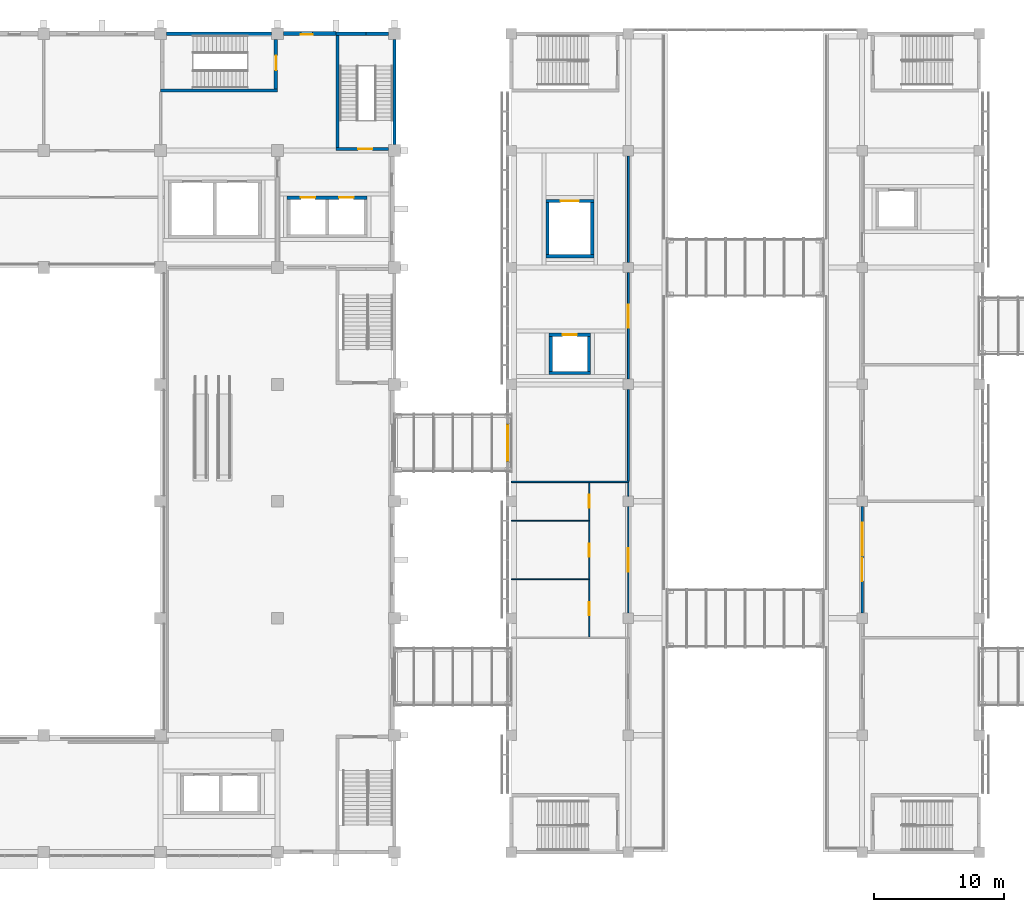
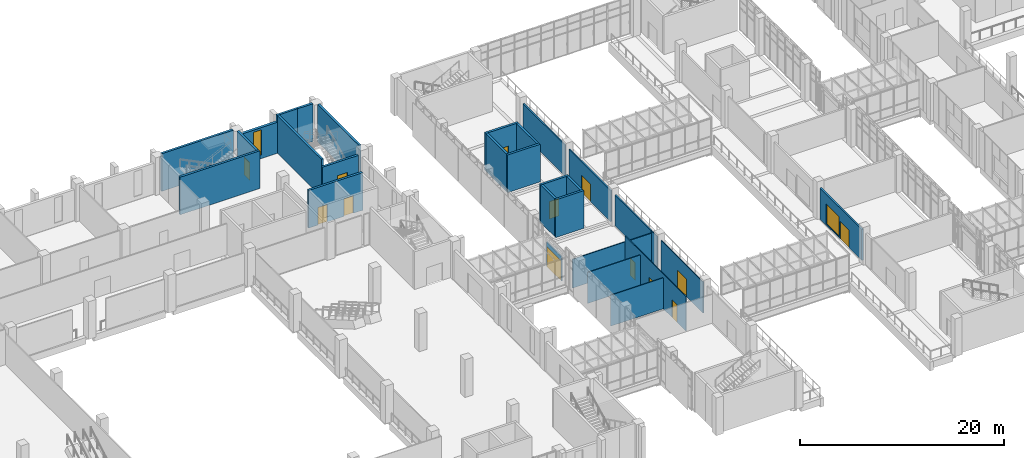
# One storey, part 61 of 88: 29 walls, 13 doors, 2 windows, 15 openings.
"""IFC4 building model written with IfcOpenShell, lengths in metres."""

from ifc_helpers import new_model, si_unit, direction, frame, frame_2d, origin, place, context, subcontext, project, spatial, rectangle, extrude, material, layer, layer_set, type_object, element, fill, save


model = new_model("IFC4")

# Units and contexts
model_context = context("Model", 3, precision=1e-05, world=origin(), true_north=direction((0.0, 1.0)))
body_context = subcontext(model_context, "Body", "Model", "MODEL_VIEW")
ifc_project = project(units=[si_unit("LENGTHUNIT", "METRE"), si_unit("AREAUNIT", "SQUARE_METRE"), si_unit("VOLUMEUNIT", "CUBIC_METRE"), si_unit("PLANEANGLEUNIT", "RADIAN"), si_unit("MASSUNIT", "GRAM", prefix="KILO")], contexts=[model_context])

# Site, building, storey
site_placement = place(None, origin())
site = spatial("IfcSite", under=ifc_project, at=site_placement, CompositionType="ELEMENT")
building_placement = place(site_placement, origin())
building = spatial("IfcBuilding", under=site, at=building_placement, Name="Guidao Yard Department Store", CompositionType="ELEMENT")
storey_placement = place(building_placement, frame((0.0, 0.0, 6.0)))
storey = spatial("IfcBuildingStorey", under=building, at=storey_placement, Name="L01", CompositionType="ELEMENT", Elevation=6.0)

# Walls
ifc_material_1 = material(Name="Moisture-resistant board on Steel Q235 studs", Category="steel")
ifc_layer_1 = layer(ifc_material_1, 0.080078125)
ifc_layer_set_1 = layer_set([ifc_layer_1], Name="Cubicle and Duct Partition P8 80 mm moisture-resistant board")
wall_type_1 = type_object("IfcWallType", Name="Cubicle and Duct Partition P8 80 mm moisture-resistant board", PredefinedType="PARTITIONING", material=ifc_layer_set_1)
for number, where, z_axis, x_axis, name in (
    (1, (72.0, 66.0, 0.0), (0.0, 0.0, 1.0), (1.0, 0.0, 0.0), "Wall W-AL01-010"),
    (2, (72.0, 70.5, 0.0), (0.0, 0.0, 1.0), (1.0, 0.0, 0.0), "Wall W-AL01-011"),
):
    element("IfcWall", number, at=place(storey_placement, frame(where, z_axis=z_axis, x_axis=x_axis)), inside=storey, type_object=wall_type_1, Name=name, PredefinedType="PARTITIONING", context=body_context, shape_type="SweptSolid", body=[
        extrude(rectangle(XDim=5.949951171875, YDim=0.080078125, at=frame_2d((2.97509765625, 0.0))), origin(), (0.0, 0.0, 1.0), 3.699951171875),
    ])

# Wall, opening, door
ifc_material_2 = material(Name="Aluminium 6063-T5", Category="aluminium")
ifc_layer_2 = layer(ifc_material_2, 0.1201171875)
ifc_layer_set_2 = layer_set([ifc_layer_2], Name="Glazing frame wall 120")
wall_type_2 = type_object("IfcWallType", Name="Glazing frame wall 120", PredefinedType="STANDARD", material=ifc_layer_set_2)
wall_1_placement = place(storey_placement, frame((71.719970703125, 75.030029296875, 0.0), z_axis=(0.0, 0.0, 1.0), x_axis=(0.0, 1.0, 0.0)))
wall_1 = element("IfcWall", 3, at=wall_1_placement, inside=storey, type_object=wall_type_2, Name="Frame wall for Bridge door BR02", PredefinedType="STANDARD", context=body_context, shape_type="SweptSolid", body=[
    extrude(rectangle(XDim=2.93994140625, YDim=0.1201171875, at=frame_2d((1.469970703125, 0.0))), origin(), (0.0, 0.0, 1.0), 2.969970703125),
])
opening_1_placement = place(wall_1_placement, frame((0.070068359375, 0.0, 0.0)))
opening_1 = element("IfcOpeningElement", 4, at=opening_1_placement, cuts=wall_1, Name="Opening L01-853", PredefinedType="OPENING", context=body_context, shape_type="SweptSolid", body=[
    extrude(rectangle(XDim=2.800048828125, YDim=2.39990234375, at=frame_2d((1.39990234375, 1.199951171875))), frame((0.0, 0.070068359375, 0.0), z_axis=(0.0, -1.0, 0.0), x_axis=(1.0, 0.0, 0.0)), (0.0, 0.0, 1.0), 0.14013671875),
])
ifc_material_3 = material(Name="Fire-resistant glass in steel frame", Category="steel")
door_type_1 = type_object("IfcDoorType", Name="Bridge door BD1 2800 x 2400 fire-rated glazed double leaf", OperationType="DOUBLE_DOOR_SINGLE_SWING", PredefinedType="DOOR", material=ifc_material_3)
door_1_placement = place(opening_1_placement, origin())
door_1 = element("IfcDoor", 5, at=door_1_placement, inside=storey, type_object=door_type_1, Name="Bridge door BR02", OperationType="DOUBLE_DOOR_SINGLE_SWING", OverallHeight=2.39990234375, OverallWidth=2.800048828125, PredefinedType="DOOR", context=body_context, shape_type="SweptSolid", body=[
    extrude(rectangle(XDim=2.800048828125, YDim=2.39990234375, at=frame_2d((1.39990234375, 1.199951171875))), frame((0.0, 0.02490234375, 0.0), z_axis=(0.0, -1.0, 0.0), x_axis=(1.0, 0.0, 0.0)), (0.0, 0.0, 1.0), 0.050048828125),
])
fill(opening_1, door_1)

# Wall, opening, window
ifc_material_4 = material(Name="Concrete C35", Category="concrete")
ifc_layer_3 = layer(ifc_material_4, 0.300048828125)
ifc_layer_set_3 = layer_set([ifc_layer_3], Name="Hall facade wall 300 C35")
wall_type_3 = type_object("IfcWallType", Name="Hall facade wall 300 C35", PredefinedType="SOLIDWALL", material=ifc_layer_set_3)
wall_2_placement = place(storey_placement, frame((54.449951171875, 108.0, 0.0), z_axis=(0.0, 0.0, 1.0), x_axis=(1.0, 0.0, 0.0)))
wall_2 = element("IfcWall", 6, at=wall_2_placement, inside=storey, type_object=wall_type_3, Name="Hall facade wall", PredefinedType="SOLIDWALL", context=body_context, shape_type="SweptSolid", body=[
    extrude(rectangle(XDim=4.050048828125, YDim=0.300048828125, at=frame_2d((2.02490234375, 0.0))), origin(), (0.0, 0.0, 1.0), 3.699951171875),
])
opening_2_placement = place(wall_2_placement, frame((1.35009765625, 0.0, 0.449951171875)))
opening_2 = element("IfcOpeningElement", 7, at=opening_2_placement, cuts=wall_2, Name="Opening WN-L01-E18", PredefinedType="OPENING", context=body_context, shape_type="SweptSolid", body=[
    extrude(rectangle(XDim=0.89990234375, YDim=3.0, at=frame_2d((0.449951171875, 1.5))), frame((0.0, 0.159912109375, 0.0), z_axis=(0.0, -1.0, 0.0), x_axis=(1.0, 0.0, 0.0)), (0.0, 0.0, 1.0), 0.320068359375),
])
ifc_material_5 = material(Name="Laminated glass in aluminium frame", Category="aluminium")
window_type_1 = type_object("IfcWindowType", Name="Slot window SL1 900 x 3000 fixed", PartitioningType="SINGLE_PANEL", PredefinedType="WINDOW", material=ifc_material_5)
window_1_placement = place(opening_2_placement, origin())
window_1 = element("IfcWindow", 8, at=window_1_placement, inside=storey, type_object=window_type_1, Name="Slot window", OverallHeight=3.0, OverallWidth=0.89990234375, PartitioningType="SINGLE_PANEL", PredefinedType="WINDOW", context=body_context, shape_type="SweptSolid", body=[
    extrude(rectangle(XDim=0.89990234375, YDim=3.0, at=frame_2d((0.449951171875, 1.5))), frame((0.0, -0.030029296875, 0.0), z_axis=(0.0, -1.0, 0.0), x_axis=(1.0, 0.0, 0.0)), (0.0, 0.0, 1.0), 0.06005859375),
])
fill(opening_2, window_1)

# Wall, openings, doors
ifc_material_6 = material(Name="Gypsum board on Steel Q235 studs", Category="steel")
ifc_layer_4 = layer(ifc_material_6, 0.10009765625)
ifc_layer_set_4 = layer_set([ifc_layer_4], Name="Partition P1 100 mm gypsum board EI 30")
wall_type_4 = type_object("IfcWallType", Name="Partition P1 100 mm gypsum board EI 30", PredefinedType="PARTITIONING", material=ifc_layer_set_4)
wall_3_placement = place(storey_placement, frame((78.0, 61.550048828125, 0.0), z_axis=(0.0, 0.0, 1.0), x_axis=(0.0, 1.0, 0.0)))
wall_3 = element("IfcWall", 9, at=wall_3_placement, inside=storey, type_object=wall_type_4, Name="Wall W-AL01-005", PredefinedType="PARTITIONING", context=body_context, shape_type="SweptSolid", body=[
    extrude(rectangle(XDim=11.89990234375, YDim=0.10009765625, at=frame_2d((5.949951171875, 0.0))), origin(), (0.0, 0.0, 1.0), 4.14990234375),
])
opening_3_placement = place(wall_3_placement, frame((1.699951171875, 0.0, 0.0)))
opening_3 = element("IfcOpeningElement", 10, at=opening_3_placement, cuts=wall_3, Name="Opening AL01-003", PredefinedType="OPENING", context=body_context, shape_type="SweptSolid", body=[
    extrude(rectangle(XDim=1.0, YDim=2.10009765625, at=frame_2d((0.5, 1.050048828125))), frame((0.0, 0.06005859375, 0.0), z_axis=(0.0, -1.0, 0.0), x_axis=(1.0, 0.0, 0.0)), (0.0, 0.0, 1.0), 0.1201171875),
])
opening_4_placement = place(wall_3_placement, frame((6.199951171875, 0.0, 0.0)))
opening_4 = element("IfcOpeningElement", 11, at=opening_4_placement, cuts=wall_3, Name="Opening AL01-006", PredefinedType="OPENING", context=body_context, shape_type="SweptSolid", body=[
    extrude(rectangle(XDim=1.0, YDim=2.10009765625, at=frame_2d((0.5, 1.050048828125))), frame((0.0, 0.06005859375, 0.0), z_axis=(0.0, -1.0, 0.0), x_axis=(1.0, 0.0, 0.0)), (0.0, 0.0, 1.0), 0.1201171875),
])
opening_5_placement = place(wall_3_placement, frame((9.949951171875, 0.0, 0.0)))
opening_5 = element("IfcOpeningElement", 12, at=opening_5_placement, cuts=wall_3, Name="Opening AL01-007", PredefinedType="OPENING", context=body_context, shape_type="SweptSolid", body=[
    extrude(rectangle(XDim=1.0, YDim=2.10009765625, at=frame_2d((0.5, 1.050048828125))), frame((0.0, 0.06005859375, 0.0), z_axis=(0.0, -1.0, 0.0), x_axis=(1.0, 0.0, 0.0)), (0.0, 0.0, 1.0), 0.1201171875),
])
ifc_material_7 = material(Name="Timber door leaf", Category="wood")
door_type_2 = type_object("IfcDoorType", Name="Door AD10 accessible WC 1000 x 2100", OperationType="SINGLE_SWING_LEFT", PredefinedType="DOOR", material=ifc_material_7)
door_2_placement = place(opening_4_placement, origin())
door_2 = element("IfcDoor", 13, at=door_2_placement, inside=storey, type_object=door_type_2, Name="Door AL01-006", OperationType="SINGLE_SWING_RIGHT", OverallHeight=2.10009765625, OverallWidth=1.0, PredefinedType="DOOR", context=body_context, shape_type="SweptSolid", body=[
    extrude(rectangle(XDim=1.0, YDim=2.10009765625, at=frame_2d((0.5, 1.050048828125))), frame((0.0, 0.02490234375, 0.0), z_axis=(0.0, -1.0, 0.0), x_axis=(1.0, 0.0, 0.0)), (0.0, 0.0, 1.0), 0.050048828125),
])
fill(opening_4, door_2)
ifc_material_8 = material(Name="Timber door leaf", Category="wood")
door_type_3 = type_object("IfcDoorType", Name="Door D2 1000 x 2100", OperationType="SINGLE_SWING_LEFT", PredefinedType="DOOR", material=ifc_material_8)
door_3_placement = place(opening_3_placement, origin())
door_3 = element("IfcDoor", 14, at=door_3_placement, inside=storey, type_object=door_type_3, Name="Door AL01-003", OperationType="SINGLE_SWING_LEFT", OverallHeight=2.10009765625, OverallWidth=1.0, PredefinedType="DOOR", context=body_context, shape_type="SweptSolid", body=[
    extrude(rectangle(XDim=1.0, YDim=2.10009765625, at=frame_2d((0.5, 1.050048828125))), frame((0.0, 0.02490234375, 0.0), z_axis=(0.0, -1.0, 0.0), x_axis=(1.0, 0.0, 0.0)), (0.0, 0.0, 1.0), 0.050048828125),
])
fill(opening_3, door_3)
door_4_placement = place(opening_5_placement, origin())
door_4 = element("IfcDoor", 15, at=door_4_placement, inside=storey, type_object=door_type_3, Name="Door AL01-007", OperationType="SINGLE_SWING_RIGHT", OverallHeight=2.10009765625, OverallWidth=1.0, PredefinedType="DOOR", context=body_context, shape_type="SweptSolid", body=[
    extrude(rectangle(XDim=1.0, YDim=2.10009765625, at=frame_2d((0.5, 1.050048828125))), frame((0.0, 0.02490234375, 0.0), z_axis=(0.0, -1.0, 0.0), x_axis=(1.0, 0.0, 0.0)), (0.0, 0.0, 1.0), 0.050048828125),
])
fill(opening_5, door_4)

# Wall, opening, door
wall_4_placement = place(storey_placement, frame((81.0, 63.39990234375, 0.0), z_axis=(0.0, 0.0, 1.0), x_axis=(0.0, 1.0, 0.0)))
wall_4 = element("IfcWall", 16, at=wall_4_placement, inside=storey, type_object=wall_type_4, Name="Wall W-AL01-008", PredefinedType="PARTITIONING", context=body_context, shape_type="SweptSolid", body=[
    extrude(rectangle(XDim=8.2001953125, YDim=0.10009765625, at=frame_2d((4.10009765625, 0.0))), origin(), (0.0, 0.0, 1.0), 3.699951171875),
])
opening_6_placement = place(wall_4_placement, frame((3.199951171875, 0.0, 0.0)))
opening_6 = element("IfcOpeningElement", 17, at=opening_6_placement, cuts=wall_4, Name="Opening AL01-005", PredefinedType="OPENING", context=body_context, shape_type="SweptSolid", body=[
    extrude(rectangle(XDim=1.800048828125, YDim=2.10009765625, at=frame_2d((0.89990234375, 1.050048828125))), frame((0.0, 0.06005859375, 0.0), z_axis=(0.0, -1.0, 0.0), x_axis=(1.0, 0.0, 0.0)), (0.0, 0.0, 1.0), 0.1201171875),
])
ifc_material_9 = material(Name="Timber door leaf", Category="wood")
door_type_4 = type_object("IfcDoorType", Name="Door D3 double 1800 x 2100", OperationType="DOUBLE_DOOR_SINGLE_SWING", PredefinedType="DOOR", material=ifc_material_9)
door_5_placement = place(opening_6_placement, origin())
door_5 = element("IfcDoor", 18, at=door_5_placement, inside=storey, type_object=door_type_4, Name="Door AL01-005", OperationType="DOUBLE_DOOR_SINGLE_SWING", OverallHeight=2.10009765625, OverallWidth=1.800048828125, PredefinedType="DOOR", context=body_context, shape_type="SweptSolid", body=[
    extrude(rectangle(XDim=1.800048828125, YDim=2.10009765625, at=frame_2d((0.89990234375, 1.050048828125))), frame((0.0, 0.02490234375, 0.0), z_axis=(0.0, -1.0, 0.0), x_axis=(1.0, 0.0, 0.0)), (0.0, 0.0, 1.0), 0.050048828125),
])
fill(opening_6, door_5)

# Walls
wall_5_placement = place(storey_placement, frame((81.0, 72.39990234375, 0.0), z_axis=(0.0, 0.0, 1.0), x_axis=(0.0, 1.0, 0.0)))
element("IfcWall", 19, at=wall_5_placement, inside=storey, type_object=wall_type_4, Name="Wall W-AL01-013", PredefinedType="PARTITIONING", context=body_context, shape_type="SweptSolid", body=[
    extrude(rectangle(XDim=1.050048828125, YDim=0.10009765625, at=frame_2d((0.52490234375, 0.0))), origin(), (0.0, 0.0, 1.0), 3.699951171875),
])
wall_6_placement = place(storey_placement, frame((72.0, 73.5, 0.0), z_axis=(0.0, 0.0, 1.0), x_axis=(1.0, 0.0, 0.0)))
element("IfcWall", 20, at=wall_6_placement, inside=storey, type_object=wall_type_4, Name="Wall W-AL01-015", PredefinedType="PARTITIONING", context=body_context, shape_type="SweptSolid", body=[
    extrude(rectangle(XDim=9.050048828125, YDim=0.10009765625, at=frame_2d((4.52490234375, 0.0))), origin(), (0.0, 0.0, 1.0), 3.449951171875),
])

# Wall, openings, door, window
ifc_material_10 = material(Name="Concrete block MU10", Category="concrete")
ifc_layer_5 = layer(ifc_material_10, 0.199951171875)
ifc_layer_set_5 = layer_set([ifc_layer_5], Name="Shopfront Wall P4 200 mm blockwork EI 60")
wall_type_5 = type_object("IfcWallType", Name="Shopfront Wall P4 200 mm blockwork EI 60", PredefinedType="PARTITIONING", material=ifc_layer_set_5)
wall_7_placement = place(storey_placement, frame((99.0, 63.39990234375, 0.0), z_axis=(0.0, 0.0, 1.0), x_axis=(0.0, 1.0, 0.0)))
wall_7 = element("IfcWall", 21, at=wall_7_placement, inside=storey, type_object=wall_type_5, Name="Wall W-AL01-009", PredefinedType="PARTITIONING", context=body_context, shape_type="SweptSolid", body=[
    extrude(rectangle(XDim=8.2001953125, YDim=0.199951171875, at=frame_2d((4.10009765625, 0.0))), origin(), (0.0, 0.0, 1.0), 3.699951171875),
])
opening_7_placement = place(wall_7_placement, frame((4.25, 0.0, 0.0), z_axis=(0.0, 0.0, 1.0), x_axis=(-1.0, 0.0, 0.0)))
opening_7 = element("IfcOpeningElement", 22, at=opening_7_placement, cuts=wall_7, Name="Opening AL01-004", PredefinedType="OPENING", context=body_context, shape_type="SweptSolid", body=[
    extrude(rectangle(XDim=1.800048828125, YDim=2.10009765625, at=frame_2d((0.89990234375, 1.050048828125))), frame((0.0, 0.10986328125, 0.0), z_axis=(0.0, -1.0, 0.0), x_axis=(1.0, 0.0, 0.0)), (0.0, 0.0, 1.0), 0.219970703125),
])
opening_8_placement = place(wall_7_placement, frame((4.449951171875, 0.0, 0.14990234375)))
opening_8 = element("IfcOpeningElement", 23, at=opening_8_placement, cuts=wall_7, Name="Opening WN-AL01-301", PredefinedType="OPENING", context=body_context, shape_type="SweptSolid", body=[
    extrude(rectangle(XDim=2.5, YDim=2.39990234375, at=frame_2d((1.25, 1.199951171875))), frame((0.0, 0.10986328125, 0.0), z_axis=(0.0, -1.0, 0.0), x_axis=(1.0, 0.0, 0.0)), (0.0, 0.0, 1.0), 0.219970703125),
])
ifc_material_11 = material(Name="Steel Q235", Category="steel")
door_type_5 = type_object("IfcDoorType", Name="Door FD5 double 1800 x 2100 FD60", OperationType="DOUBLE_DOOR_SINGLE_SWING", PredefinedType="DOOR", material=ifc_material_11)
door_6_placement = place(opening_7_placement, origin())
door_6 = element("IfcDoor", 24, at=door_6_placement, inside=storey, type_object=door_type_5, Name="Door AL01-004", OperationType="DOUBLE_DOOR_SINGLE_SWING", OverallHeight=2.10009765625, OverallWidth=1.800048828125, PredefinedType="DOOR", context=body_context, shape_type="SweptSolid", body=[
    extrude(rectangle(XDim=1.800048828125, YDim=2.10009765625, at=frame_2d((0.89990234375, 1.050048828125))), frame((0.0, 0.02490234375, 0.0), z_axis=(0.0, -1.0, 0.0), x_axis=(1.0, 0.0, 0.0)), (0.0, 0.0, 1.0), 0.050048828125),
])
fill(opening_7, door_6)
ifc_material_12 = material(Name="Fire-rated glazing in Steel Q235 frame", Category="steel")
window_type_2 = type_object("IfcWindowType", Name="Window WN1 fire-glazed shop panel 2500 x 2400 EI 60", PartitioningType="SINGLE_PANEL", PredefinedType="WINDOW", material=ifc_material_12)
window_2_placement = place(opening_8_placement, origin())
window_2 = element("IfcWindow", 25, at=window_2_placement, inside=storey, type_object=window_type_2, Name="Window WN-AL01-301", OverallHeight=2.39990234375, OverallWidth=2.5, PartitioningType="SINGLE_PANEL", PredefinedType="WINDOW", context=body_context, shape_type="SweptSolid", body=[
    extrude(rectangle(XDim=2.5, YDim=2.39990234375, at=frame_2d((1.25, 1.199951171875))), frame((0.0, 0.030029296875, 0.0), z_axis=(0.0, -1.0, 0.0), x_axis=(1.0, 0.0, 0.0)), (0.0, 0.0, 1.0), 0.06005859375),
])
fill(opening_8, window_2)

# Wall
ifc_material_13 = material(Name="Concrete block MU10", Category="concrete")
ifc_layer_6 = layer(ifc_material_13, 0.14990234375)
ifc_layer_set_6 = layer_set([ifc_layer_6], Name="Wall P2 150 mm blockwork EI 60")
wall_type_6 = type_object("IfcWallType", Name="Wall P2 150 mm blockwork EI 60", PredefinedType="PARTITIONING", material=ifc_layer_set_6)
wall_8_placement = place(storey_placement, frame((81.0, 73.550048828125, 0.0), z_axis=(0.0, 0.0, 1.0), x_axis=(0.0, 1.0, 0.0)))
element("IfcWall", 26, at=wall_8_placement, inside=storey, type_object=wall_type_6, Name="Wall W-AL01-016", PredefinedType="PARTITIONING", context=body_context, shape_type="SweptSolid", body=[
    extrude(rectangle(XDim=7.050048828125, YDim=0.14990234375, at=frame_2d((3.52490234375, 0.0))), origin(), (0.0, 0.0, 1.0), 3.699951171875),
])

# Wall, opening, door
wall_9_placement = place(storey_placement, frame((81.0, 81.39990234375, 0.0), z_axis=(0.0, 0.0, 1.0), x_axis=(0.0, 1.0, 0.0)))
wall_9 = element("IfcWall", 27, at=wall_9_placement, inside=storey, type_object=wall_type_6, Name="Wall W-AL01-017", PredefinedType="PARTITIONING", context=body_context, shape_type="SweptSolid", body=[
    extrude(rectangle(XDim=8.2001953125, YDim=0.14990234375, at=frame_2d((4.10009765625, 0.0))), origin(), (0.0, 0.0, 1.0), 3.699951171875),
])
opening_9_placement = place(wall_9_placement, frame((3.949951171875, 0.0, 0.0)))
opening_9 = element("IfcOpeningElement", 28, at=opening_9_placement, cuts=wall_9, Name="Opening AL01-009", PredefinedType="OPENING", context=body_context, shape_type="SweptSolid", body=[
    extrude(rectangle(XDim=1.800048828125, YDim=2.10009765625, at=frame_2d((0.89990234375, 1.050048828125))), frame((0.0, 0.0849609375, 0.0), z_axis=(0.0, -1.0, 0.0), x_axis=(1.0, 0.0, 0.0)), (0.0, 0.0, 1.0), 0.169921875),
])
door_7_placement = place(opening_9_placement, origin())
door_7 = element("IfcDoor", 29, at=door_7_placement, inside=storey, type_object=door_type_5, Name="Door AL01-009", OperationType="DOUBLE_DOOR_SINGLE_SWING", OverallHeight=2.10009765625, OverallWidth=1.800048828125, PredefinedType="DOOR", context=body_context, shape_type="SweptSolid", body=[
    extrude(rectangle(XDim=1.800048828125, YDim=2.10009765625, at=frame_2d((0.89990234375, 1.050048828125))), frame((0.0, 0.02490234375, 0.0), z_axis=(0.0, -1.0, 0.0), x_axis=(1.0, 0.0, 0.0)), (0.0, 0.0, 1.0), 0.050048828125),
])
fill(opening_9, door_7)

# Wall
wall_10_placement = place(storey_placement, frame((81.0, 90.39990234375, 0.0), z_axis=(0.0, 0.0, 1.0), x_axis=(0.0, 1.0, 0.0)))
element("IfcWall", 30, at=wall_10_placement, inside=storey, type_object=wall_type_6, Name="Wall W-AL01-021", PredefinedType="PARTITIONING", context=body_context, shape_type="SweptSolid", body=[
    extrude(rectangle(XDim=8.2001953125, YDim=0.14990234375, at=frame_2d((4.10009765625, 0.0))), origin(), (0.0, 0.0, 1.0), 3.699951171875),
])

# Wall, opening, door
ifc_material_14 = material(Name="Concrete C40", Category="concrete")
ifc_layer_7 = layer(ifc_material_14, 0.25)
ifc_layer_set_7 = layer_set([ifc_layer_7], Name="Wall RC 250 C40 stair and shaft")
wall_type_7 = type_object("IfcWallType", Name="Wall RC 250 C40 stair and shaft", PredefinedType="SHEAR", material=ifc_layer_set_7)
wall_11_placement = place(storey_placement, frame((58.5, 99.125, 0.0), z_axis=(0.0, 0.0, 1.0), x_axis=(1.0, 0.0, 0.0)))
wall_11 = element("IfcWall", 31, at=wall_11_placement, inside=storey, type_object=wall_type_7, Name="Stair wall SA6", PredefinedType="SHEAR", context=body_context, shape_type="SweptSolid", body=[
    extrude(rectangle(XDim=4.050048828125, YDim=0.25, at=frame_2d((2.02490234375, 0.0))), origin(), (0.0, 0.0, 1.0), 3.699951171875),
])
opening_10_placement = place(wall_11_placement, frame((1.699951171875, 0.0, 0.0)))
opening_10 = element("IfcOpeningElement", 32, at=opening_10_placement, cuts=wall_11, Name="Opening L01-805", PredefinedType="OPENING", context=body_context, shape_type="SweptSolid", body=[
    extrude(rectangle(XDim=1.10009765625, YDim=2.10009765625, at=frame_2d((0.550048828125, 1.050048828125))), frame((0.0, 0.135009765625, 0.0), z_axis=(0.0, -1.0, 0.0), x_axis=(1.0, 0.0, 0.0)), (0.0, 0.0, 1.0), 0.27001953125),
])
ifc_material_15 = material(Name="Steel Q235", Category="steel")
door_type_6 = type_object("IfcDoorType", Name="Door fire-resisting 1100 x 2100 FD60", OperationType="SINGLE_SWING_LEFT", PredefinedType="DOOR", material=ifc_material_15)
door_8_placement = place(opening_10_placement, origin())
door_8 = element("IfcDoor", 33, at=door_8_placement, inside=storey, type_object=door_type_6, Name="Stair A6 door L01", OperationType="SINGLE_SWING_RIGHT", OverallHeight=2.10009765625, OverallWidth=1.10009765625, PredefinedType="DOOR", context=body_context, shape_type="SweptSolid", body=[
    extrude(rectangle(XDim=1.10009765625, YDim=2.10009765625, at=frame_2d((0.550048828125, 1.050048828125))), frame((0.0, 0.02490234375, 0.0), z_axis=(0.0, -1.0, 0.0), x_axis=(1.0, 0.0, 0.0)), (0.0, 0.0, 1.0), 0.050048828125),
])
fill(opening_10, door_8)

# Walls
wall_12_placement = place(storey_placement, frame((58.5, 108.0, 0.0), z_axis=(0.0, 0.0, 1.0), x_axis=(1.0, 0.0, 0.0)))
element("IfcWall", 34, at=wall_12_placement, inside=storey, type_object=wall_type_7, Name="Stair wall SA6", PredefinedType="SHEAR", context=body_context, shape_type="SweptSolid", body=[
    extrude(rectangle(XDim=2.31201171875, YDim=0.25, at=frame_2d((1.156005859375, 0.0))), origin(), (0.0, 0.0, 1.0), 4.5),
])
wall_13_placement = place(storey_placement, frame((60.81201171875, 108.0, 0.0), z_axis=(0.0, 0.0, 1.0), x_axis=(1.0, 0.0, 0.0)))
element("IfcWall", 35, at=wall_13_placement, inside=storey, type_object=wall_type_7, Name="Stair wall SA6", PredefinedType="SHEAR", context=body_context, shape_type="SweptSolid", body=[
    extrude(rectangle(XDim=1.738037109375, YDim=0.25, at=frame_2d((0.869140625, 0.0))), origin(), (0.0, 0.0, 1.0), 4.5),
])
wall_14_placement = place(storey_placement, frame((58.625, 99.25, 0.0), z_axis=(0.0, 0.0, 1.0), x_axis=(0.0, 1.0, 0.0)))
element("IfcWall", 36, at=wall_14_placement, inside=storey, type_object=wall_type_7, Name="Stair wall SA6", PredefinedType="SHEAR", context=body_context, shape_type="SweptSolid", body=[
    extrude(rectangle(XDim=8.625, YDim=0.25, at=frame_2d((4.3125, 0.0))), origin(), (0.0, 0.0, 1.0), 4.5),
])
wall_15_placement = place(storey_placement, frame((63.0, 99.449951171875, 0.0), z_axis=(0.0, 0.0, 1.0), x_axis=(0.0, 1.0, 0.0)))
element("IfcWall", 37, at=wall_15_placement, inside=storey, type_object=wall_type_7, Name="Stair wall SA6", PredefinedType="SHEAR", context=body_context, shape_type="SweptSolid", body=[
    extrude(rectangle(XDim=8.10009765625, YDim=0.25, at=frame_2d((4.050048828125, 0.0))), origin(), (0.0, 0.0, 1.0), 4.5),
])
wall_16_placement = place(storey_placement, frame((45.0, 103.625, 0.0), z_axis=(0.0, 0.0, 1.0), x_axis=(1.0, 0.0, 0.0)))
element("IfcWall", 38, at=wall_16_placement, inside=storey, type_object=wall_type_7, Name="Stair wall SA7", PredefinedType="SHEAR", context=body_context, shape_type="SweptSolid", body=[
    extrude(rectangle(XDim=9.0, YDim=0.25, at=frame_2d((4.5, 0.0))), origin(), (0.0, 0.0, 1.0), 4.5),
])
wall_17_placement = place(storey_placement, frame((45.449951171875, 108.0, 0.0), z_axis=(0.0, 0.0, 1.0), x_axis=(1.0, 0.0, 0.0)))
element("IfcWall", 39, at=wall_17_placement, inside=storey, type_object=wall_type_7, Name="Stair wall SA7", PredefinedType="SHEAR", context=body_context, shape_type="SweptSolid", body=[
    extrude(rectangle(XDim=8.10009765625, YDim=0.25, at=frame_2d((4.050048828125, 0.0))), origin(), (0.0, 0.0, 1.0), 4.5),
])

# Wall, opening, door
wall_18_placement = place(storey_placement, frame((53.875, 103.75, 0.0), z_axis=(0.0, 0.0, 1.0), x_axis=(0.0, 1.0, 0.0)))
wall_18 = element("IfcWall", 40, at=wall_18_placement, inside=storey, type_object=wall_type_7, Name="Stair wall SA7", PredefinedType="SHEAR", context=body_context, shape_type="SweptSolid", body=[
    extrude(rectangle(XDim=3.800048828125, YDim=0.25, at=frame_2d((1.89990234375, 0.0))), origin(), (0.0, 0.0, 1.0), 4.5),
])
opening_11_placement = place(wall_18_placement, frame((1.449951171875, 0.0, 0.0)))
opening_11 = element("IfcOpeningElement", 41, at=opening_11_placement, cuts=wall_18, Name="Opening L01-806", PredefinedType="OPENING", context=body_context, shape_type="SweptSolid", body=[
    extrude(rectangle(XDim=1.10009765625, YDim=2.10009765625, at=frame_2d((0.550048828125, 1.050048828125))), frame((0.0, 0.135009765625, 0.0), z_axis=(0.0, -1.0, 0.0), x_axis=(1.0, 0.0, 0.0)), (0.0, 0.0, 1.0), 0.27001953125),
])
door_9_placement = place(opening_11_placement, origin())
door_9 = element("IfcDoor", 42, at=door_9_placement, inside=storey, type_object=door_type_6, Name="Stair A7 door L01", OperationType="SINGLE_SWING_RIGHT", OverallHeight=2.10009765625, OverallWidth=1.10009765625, PredefinedType="DOOR", context=body_context, shape_type="SweptSolid", body=[
    extrude(rectangle(XDim=1.10009765625, YDim=2.10009765625, at=frame_2d((0.550048828125, 1.050048828125))), frame((0.0, 0.02490234375, 0.0), z_axis=(0.0, -1.0, 0.0), x_axis=(1.0, 0.0, 0.0)), (0.0, 0.0, 1.0), 0.050048828125),
])
fill(opening_11, door_9)

wall_19_placement = place(storey_placement, frame((74.89990234375, 84.824951171875, 0.0), z_axis=(0.0, 0.0, 1.0), x_axis=(1.0, 0.0, 0.0)))
wall_19 = element("IfcWall", 43, at=wall_19_placement, inside=storey, type_object=wall_type_7, Name="Lift shaft wall GL1", PredefinedType="SHEAR", context=body_context, shape_type="SweptSolid", body=[
    extrude(rectangle(XDim=3.2001953125, YDim=0.25, at=frame_2d((1.60009765625, 0.0))), origin(), (0.0, 0.0, 1.0), 4.5),
])
opening_12_placement = place(wall_19_placement, frame((1.050048828125, 0.0, 0.0)))
opening_12 = element("IfcOpeningElement", 44, at=opening_12_placement, cuts=wall_19, Name="Opening LD-GL1-L01", PredefinedType="OPENING", context=body_context, shape_type="SweptSolid", body=[
    extrude(rectangle(XDim=1.10009765625, YDim=2.10009765625, at=frame_2d((0.550048828125, 1.050048828125))), frame((0.0, 0.135009765625, 0.0), z_axis=(0.0, -1.0, 0.0), x_axis=(1.0, 0.0, 0.0)), (0.0, 0.0, 1.0), 0.27001953125),
])
ifc_material_16 = material(Name="Stainless steel 06Cr19Ni10", Category="steel")
door_type_7 = type_object("IfcDoorType", Name="Lift landing door fire-resisting sliding 1100 x 2100", OperationType="DOUBLE_DOOR_SLIDING", PredefinedType="DOOR", material=ifc_material_16)
door_10_placement = place(opening_12_placement, origin())
door_10 = element("IfcDoor", 45, at=door_10_placement, inside=storey, type_object=door_type_7, Name="Lift landing door GL1 L01", OperationType="DOUBLE_DOOR_SLIDING", OverallHeight=2.10009765625, OverallWidth=1.10009765625, PredefinedType="DOOR", context=body_context, shape_type="SweptSolid", body=[
    extrude(rectangle(XDim=1.10009765625, YDim=2.10009765625, at=frame_2d((0.550048828125, 1.050048828125))), frame((0.0, 0.02490234375, 0.0), z_axis=(0.0, -1.0, 0.0), x_axis=(1.0, 0.0, 0.0)), (0.0, 0.0, 1.0), 0.050048828125),
])
fill(opening_12, door_10)

# Walls
wall_20_placement = place(storey_placement, frame((74.89990234375, 81.875, 0.0), z_axis=(0.0, 0.0, 1.0), x_axis=(1.0, 0.0, 0.0)))
element("IfcWall", 46, at=wall_20_placement, inside=storey, type_object=wall_type_7, Name="Lift shaft wall GL1", PredefinedType="SHEAR", context=body_context, shape_type="SweptSolid", body=[
    extrude(rectangle(XDim=3.2001953125, YDim=0.25, at=frame_2d((1.60009765625, 0.0))), origin(), (0.0, 0.0, 1.0), 4.5),
])
for number, where, z_axis, x_axis, name in (
    (47, (75.02490234375, 82.0, 0.0), (0.0, 0.0, 1.0), (0.0, 1.0, 0.0), "Lift shaft wall GL1"),
    (48, (77.97509765625, 82.0, 0.0), (0.0, 0.0, 1.0), (0.0, 1.0, 0.0), "Lift shaft wall GL1"),
):
    element("IfcWall", number, at=place(storey_placement, frame(where, z_axis=z_axis, x_axis=x_axis)), inside=storey, type_object=wall_type_7, Name=name, PredefinedType="SHEAR", context=body_context, shape_type="SweptSolid", body=[
        extrude(rectangle(XDim=2.699951171875, YDim=0.25, at=frame_2d((1.35009765625, 0.0))), origin(), (0.0, 0.0, 1.0), 4.5),
    ])

# Wall, opening, door
wall_21_placement = place(storey_placement, frame((74.64990234375, 95.125, 0.0), z_axis=(0.0, 0.0, 1.0), x_axis=(1.0, 0.0, 0.0)))
wall_21 = element("IfcWall", 49, at=wall_21_placement, inside=storey, type_object=wall_type_7, Name="Lift shaft wall GG1", PredefinedType="SHEAR", context=body_context, shape_type="SweptSolid", body=[
    extrude(rectangle(XDim=3.7001953125, YDim=0.25, at=frame_2d((1.85009765625, 0.0))), origin(), (0.0, 0.0, 1.0), 4.5),
])
opening_13_placement = place(wall_21_placement, frame((1.14990234375, 0.0, 0.0)))
opening_13 = element("IfcOpeningElement", 50, at=opening_13_placement, cuts=wall_21, Name="Opening LD-GG1-L01", PredefinedType="OPENING", context=body_context, shape_type="SweptSolid", body=[
    extrude(rectangle(XDim=1.39990234375, YDim=2.10009765625, at=frame_2d((0.699951171875, 1.050048828125))), frame((0.0, 0.135009765625, 0.0), z_axis=(0.0, -1.0, 0.0), x_axis=(1.0, 0.0, 0.0)), (0.0, 0.0, 1.0), 0.27001953125),
])
ifc_material_17 = material(Name="Stainless steel 06Cr19Ni10", Category="steel")
door_type_8 = type_object("IfcDoorType", Name="Lift landing door fire-resisting sliding 1400 x 2100", OperationType="DOUBLE_DOOR_SLIDING", PredefinedType="DOOR", material=ifc_material_17)
door_11_placement = place(opening_13_placement, origin())
door_11 = element("IfcDoor", 51, at=door_11_placement, inside=storey, type_object=door_type_8, Name="Lift landing door GG1 L01", OperationType="DOUBLE_DOOR_SLIDING", OverallHeight=2.10009765625, OverallWidth=1.39990234375, PredefinedType="DOOR", context=body_context, shape_type="SweptSolid", body=[
    extrude(rectangle(XDim=1.39990234375, YDim=2.10009765625, at=frame_2d((0.699951171875, 1.050048828125))), frame((0.0, 0.02490234375, 0.0), z_axis=(0.0, -1.0, 0.0), x_axis=(1.0, 0.0, 0.0)), (0.0, 0.0, 1.0), 0.050048828125),
])
fill(opening_13, door_11)

# Walls
wall_22_placement = place(storey_placement, frame((74.64990234375, 90.875, 0.0), z_axis=(0.0, 0.0, 1.0), x_axis=(1.0, 0.0, 0.0)))
element("IfcWall", 52, at=wall_22_placement, inside=storey, type_object=wall_type_7, Name="Lift shaft wall GG1", PredefinedType="SHEAR", context=body_context, shape_type="SweptSolid", body=[
    extrude(rectangle(XDim=3.7001953125, YDim=0.25, at=frame_2d((1.85009765625, 0.0))), origin(), (0.0, 0.0, 1.0), 4.5),
])
for number, where, z_axis, x_axis, name in (
    (53, (74.77490234375, 91.0, 0.0), (0.0, 0.0, 1.0), (0.0, 1.0, 0.0), "Lift shaft wall GG1"),
    (54, (78.22509765625, 91.0, 0.0), (0.0, 0.0, 1.0), (0.0, 1.0, 0.0), "Lift shaft wall GG1"),
):
    element("IfcWall", number, at=place(storey_placement, frame(where, z_axis=z_axis, x_axis=x_axis)), inside=storey, type_object=wall_type_7, Name=name, PredefinedType="SHEAR", context=body_context, shape_type="SweptSolid", body=[
        extrude(rectangle(XDim=4.0, YDim=0.25, at=frame_2d((2.0, 0.0))), origin(), (0.0, 0.0, 1.0), 4.5),
    ])

# Wall, openings, doors
wall_23_placement = place(storey_placement, frame((54.75, 95.375, 0.0), z_axis=(0.0, 0.0, 1.0), x_axis=(1.0, 0.0, 0.0)))
wall_23 = element("IfcWall", 55, at=wall_23_placement, inside=storey, type_object=wall_type_7, Name="Lift shaft wall HF1 to HF2", PredefinedType="SHEAR", context=body_context, shape_type="SweptSolid", body=[
    extrude(rectangle(XDim=6.14990234375, YDim=0.25, at=frame_2d((3.074951171875, 0.0))), origin(), (0.0, 0.0, 1.0), 4.5),
])
opening_14_placement = place(wall_23_placement, frame((1.050048828125, 0.0, 0.0)))
opening_14 = element("IfcOpeningElement", 56, at=opening_14_placement, cuts=wall_23, Name="Opening LD-HF1-L01", PredefinedType="OPENING", context=body_context, shape_type="SweptSolid", body=[
    extrude(rectangle(XDim=1.10009765625, YDim=2.10009765625, at=frame_2d((0.550048828125, 1.050048828125))), frame((0.0, 0.135009765625, 0.0), z_axis=(0.0, -1.0, 0.0), x_axis=(1.0, 0.0, 0.0)), (0.0, 0.0, 1.0), 0.27001953125),
])
opening_15_placement = place(wall_23_placement, frame((4.0, 0.0, 0.0)))
opening_15 = element("IfcOpeningElement", 57, at=opening_15_placement, cuts=wall_23, Name="Opening LD-HF2-L01", PredefinedType="OPENING", context=body_context, shape_type="SweptSolid", body=[
    extrude(rectangle(XDim=1.10009765625, YDim=2.10009765625, at=frame_2d((0.550048828125, 1.050048828125))), frame((0.0, 0.135009765625, 0.0), z_axis=(0.0, -1.0, 0.0), x_axis=(1.0, 0.0, 0.0)), (0.0, 0.0, 1.0), 0.27001953125),
])
door_12_placement = place(opening_14_placement, origin())
door_12 = element("IfcDoor", 58, at=door_12_placement, inside=storey, type_object=door_type_7, Name="Lift landing door HF1 L01", OperationType="DOUBLE_DOOR_SLIDING", OverallHeight=2.10009765625, OverallWidth=1.10009765625, PredefinedType="DOOR", context=body_context, shape_type="SweptSolid", body=[
    extrude(rectangle(XDim=1.10009765625, YDim=2.10009765625, at=frame_2d((0.550048828125, 1.050048828125))), frame((0.0, 0.02490234375, 0.0), z_axis=(0.0, -1.0, 0.0), x_axis=(1.0, 0.0, 0.0)), (0.0, 0.0, 1.0), 0.050048828125),
])
fill(opening_14, door_12)
door_13_placement = place(opening_15_placement, origin())
door_13 = element("IfcDoor", 59, at=door_13_placement, inside=storey, type_object=door_type_7, Name="Lift landing door HF2 L01", OperationType="DOUBLE_DOOR_SLIDING", OverallHeight=2.10009765625, OverallWidth=1.10009765625, PredefinedType="DOOR", context=body_context, shape_type="SweptSolid", body=[
    extrude(rectangle(XDim=1.10009765625, YDim=2.10009765625, at=frame_2d((0.550048828125, 1.050048828125))), frame((0.0, 0.02490234375, 0.0), z_axis=(0.0, -1.0, 0.0), x_axis=(1.0, 0.0, 0.0)), (0.0, 0.0, 1.0), 0.050048828125),
])
fill(opening_15, door_13)

save(model, "model.ifc")
